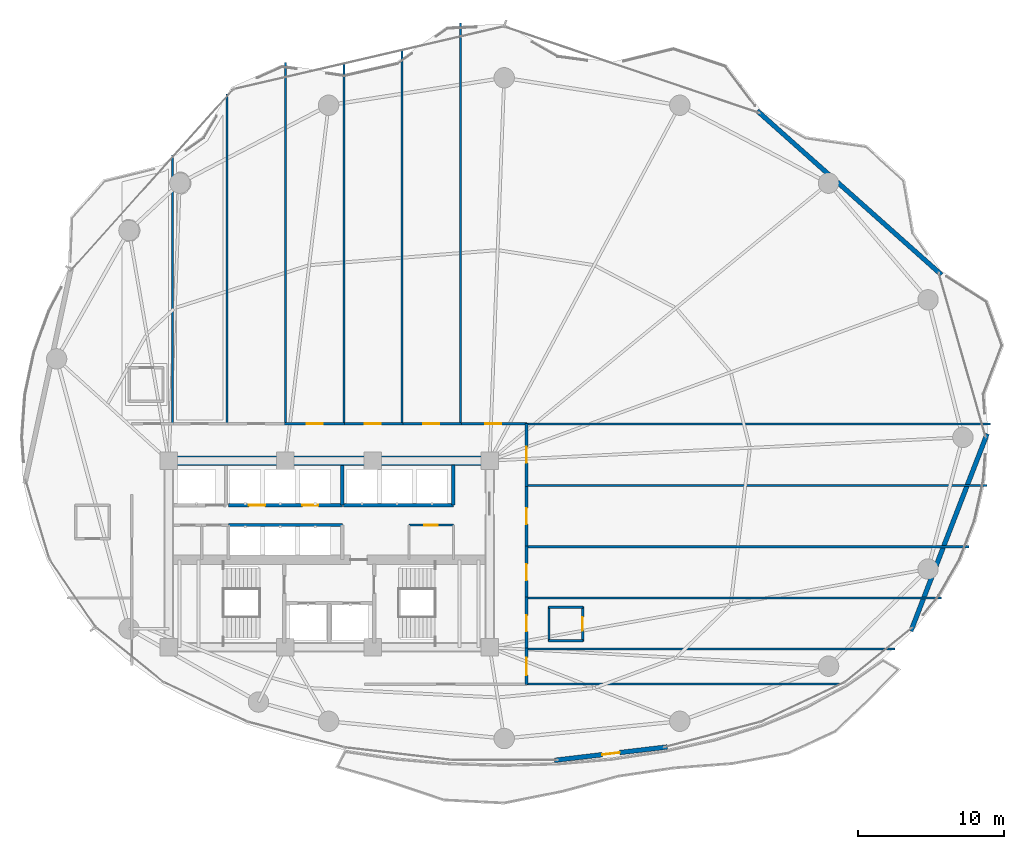
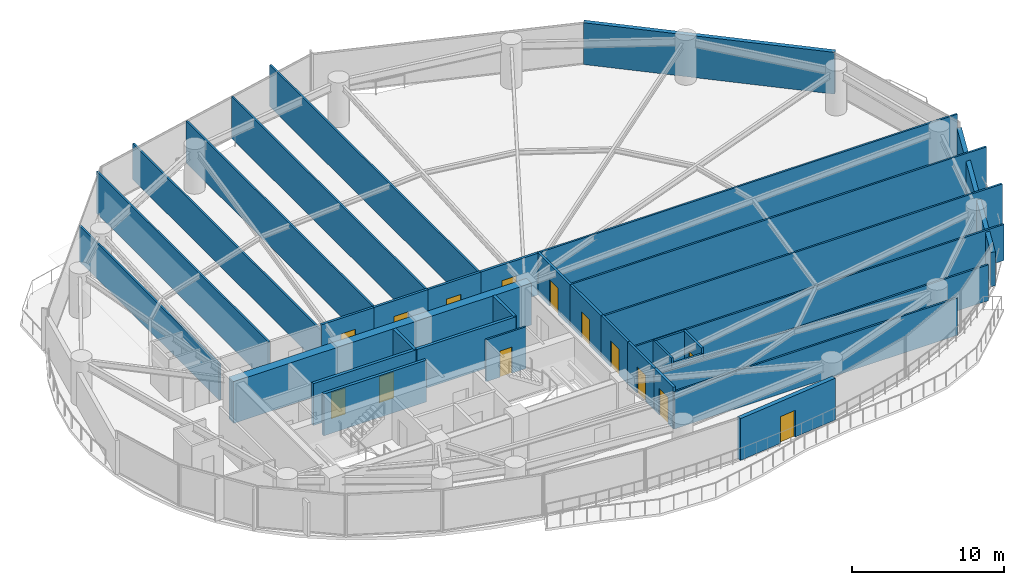
# One storey, part 27 of 31: 35 walls, 14 doors, 14 openings.
"""IFC4 building model written with IfcOpenShell, lengths in metres."""

from ifc_helpers import new_model, si_unit, direction, frame, frame_2d, origin, place, context, subcontext, project, spatial, rectangle, extrude, material, layer, layer_set, type_object, element, fill, save


model = new_model("IFC4")

# Units and contexts
model_context = context("Model", 3, precision=1e-05, world=origin(), true_north=direction((0.0, 1.0)))
body_context = subcontext(model_context, "Body", "Model", "MODEL_VIEW")
ifc_project = project(units=[si_unit("LENGTHUNIT", "METRE"), si_unit("AREAUNIT", "SQUARE_METRE"), si_unit("VOLUMEUNIT", "CUBIC_METRE"), si_unit("PLANEANGLEUNIT", "RADIAN"), si_unit("MASSUNIT", "GRAM", prefix="KILO")], contexts=[model_context])

# Site, building, storey
site_placement = place(None, origin())
site = spatial("IfcSite", under=ifc_project, at=site_placement, CompositionType="ELEMENT")
building_placement = place(site_placement, origin())
building = spatial("IfcBuilding", under=site, at=building_placement, Name="Kazevale Care Tower and Concert Hall", CompositionType="ELEMENT")
storey_placement = place(building_placement, frame((0.0, 0.0, 81.60009765625)))
storey = spatial("IfcBuildingStorey", under=building, at=storey_placement, Name="L21", CompositionType="ELEMENT", Elevation=81.60009765625)

# Wall, opening, door
ifc_material_1 = material(Name="Acoustic Gypsum on Steel Stud", Category="steel")
ifc_layer_1 = layer(ifc_material_1, 0.139892578125)
ifc_layer_set_1 = layer_set([ifc_layer_1], Name="Acoustic Gypsum on Steel Stud")
wall_type_1 = type_object("IfcWallType", Name="Acoustic Care & Suite Partition 140", PredefinedType="PARTITIONING", material=ifc_layer_set_1)
wall_1_placement = place(storey_placement, frame((38.47998046875, 31.97998046875, 0.0), z_axis=(0.0, 0.0, 1.0), x_axis=(1.0, 0.0, 0.0)))
wall_1 = element("IfcWall", 1, at=wall_1_placement, inside=storey, type_object=wall_type_1, Name="wall:L21:kb_en", PredefinedType="PARTITIONING", context=body_context, shape_type="SweptSolid", body=[
    extrude(rectangle(XDim=3.0400390625, YDim=0.139892578125, at=frame_2d((1.52001953125, 0.0))), origin(), (0.0, 0.0, 1.0), 3.35986328125),
])
opening_1_placement = place(wall_1_placement, frame((1.044921875, 0.0, 0.0)))
opening_1 = element("IfcOpeningElement", 2, at=opening_1_placement, cuts=wall_1, Name="Opening ID-900", PredefinedType="OPENING", context=body_context, shape_type="SweptSolid", body=[
    extrude(rectangle(XDim=0.919921875, YDim=2.10009765625, at=frame_2d((0.4599609375, 1.050048828125))), frame((0.0, 0.079833984375, 0.0), z_axis=(0.0, -1.0, 0.0), x_axis=(1.0, 0.0, 0.0)), (0.0, 0.0, 1.0), 0.159912109375),
])
ifc_material_2 = material(Name="Oak Timber Fire Leaf", Category="wood")
door_type_1 = type_object("IfcDoorType", Name="Bathroom & Service Door 920x2100", OperationType="NOTDEFINED", PredefinedType="DOOR", material=ifc_material_2)
door_1_placement = place(opening_1_placement, origin())
door_1 = element("IfcDoor", 3, at=door_1_placement, inside=storey, type_object=door_type_1, Name="door:L21:d_kbe", OperationType="SINGLE_SWING_LEFT", OverallHeight=2.10009765625, OverallWidth=0.919921875, PredefinedType="DOOR", context=body_context, shape_type="SweptSolid", body=[
    extrude(rectangle(XDim=0.919921875, YDim=2.10009765625, at=frame_2d((0.4599609375, 1.050048828125))), frame((0.0, 0.02490234375, 0.0), z_axis=(0.0, -1.0, 0.0), x_axis=(1.0, 0.0, 0.0)), (0.0, 0.0, 1.0), 0.050048828125),
])
fill(opening_1, door_1)

# Walls
wall_2_placement = place(storey_placement, frame((22.25, 57.343017578125, 0.0), z_axis=(0.0, 0.0, 1.0), x_axis=(0.0, -1.0, 0.0)))
element("IfcWall", 4, at=wall_2_placement, inside=storey, type_object=wall_type_1, Name="wall:L21:auto_016", PredefinedType="PARTITIONING", context=body_context, shape_type="SweptSolid", body=[
    extrude(rectangle(XDim=18.447998046875, YDim=0.139892578125, at=frame_2d((9.22412109375, 0.0))), origin(), (0.0, 0.0, 1.0), 2.889892578125),
])
wall_3_placement = place(storey_placement, frame((26.0, 61.529052734375, 0.0), z_axis=(0.0, 0.0, 1.0), x_axis=(0.0, -1.0, 0.0)))
element("IfcWall", 5, at=wall_3_placement, inside=storey, type_object=wall_type_1, Name="wall:L21:auto_017", PredefinedType="PARTITIONING", context=body_context, shape_type="SweptSolid", body=[
    extrude(rectangle(XDim=22.634033203125, YDim=0.139892578125, at=frame_2d((11.31689453125, 0.0))), origin(), (0.0, 0.0, 1.0), 3.35986328125),
])
wall_4_placement = place(storey_placement, frame((30.0, 63.7041015625, 0.0), z_axis=(0.0, 0.0, 1.0), x_axis=(0.0, -1.0, 0.0)))
element("IfcWall", 6, at=wall_4_placement, inside=storey, type_object=wall_type_1, Name="wall:L21:auto_018", PredefinedType="PARTITIONING", context=body_context, shape_type="SweptSolid", body=[
    extrude(rectangle(XDim=24.80908203125, YDim=0.139892578125, at=frame_2d((12.404541015625, 0.0))), origin(), (0.0, 0.0, 1.0), 2.889892578125),
])
wall_5_placement = place(storey_placement, frame((34.0, 63.61279296875, 0.0), z_axis=(0.0, 0.0, 1.0), x_axis=(0.0, -1.0, 0.0)))
element("IfcWall", 7, at=wall_5_placement, inside=storey, type_object=wall_type_1, Name="wall:L21:auto_019", PredefinedType="PARTITIONING", context=body_context, shape_type="SweptSolid", body=[
    extrude(rectangle(XDim=24.7177734375, YDim=0.139892578125, at=frame_2d((12.35888671875, 0.0))), origin(), (0.0, 0.0, 1.0), 3.35986328125),
])
wall_6_placement = place(storey_placement, frame((38.0, 64.5419921875, 0.0), z_axis=(0.0, 0.0, 1.0), x_axis=(0.0, -1.0, 0.0)))
element("IfcWall", 8, at=wall_6_placement, inside=storey, type_object=wall_type_1, Name="wall:L21:auto_020", PredefinedType="PARTITIONING", context=body_context, shape_type="SweptSolid", body=[
    extrude(rectangle(XDim=25.64697265625, YDim=0.139892578125, at=frame_2d((12.823486328125, 0.0))), origin(), (0.0, 0.0, 1.0), 3.35986328125),
])
wall_7_placement = place(storey_placement, frame((42.0, 66.4140625, 0.0), z_axis=(0.0, 0.0, 1.0), x_axis=(0.0, -1.0, 0.0)))
element("IfcWall", 9, at=wall_7_placement, inside=storey, type_object=wall_type_1, Name="wall:L21:auto_021", PredefinedType="PARTITIONING", context=body_context, shape_type="SweptSolid", body=[
    extrude(rectangle(XDim=27.51904296875, YDim=0.139892578125, at=frame_2d((13.759521484375, 0.0))), origin(), (0.0, 0.0, 1.0), 3.35986328125),
])
wall_8_placement = place(storey_placement, frame((78.333984375, 38.925048828125, 0.0), z_axis=(0.0, 0.0, 1.0), x_axis=(-1.0, 0.0, 0.0)))
element("IfcWall", 10, at=wall_8_placement, inside=storey, type_object=wall_type_1, Name="wall:L21:auto_022", PredefinedType="PARTITIONING", context=body_context, shape_type="SweptSolid", body=[
    extrude(rectangle(XDim=31.8740234375, YDim=0.139892578125, at=frame_2d((15.93701171875, 0.0))), origin(), (0.0, 0.0, 1.0), 3.35986328125),
])
wall_9_placement = place(storey_placement, frame((46.4951171875, 23.5, 0.0), z_axis=(0.0, 0.0, 1.0), x_axis=(1.0, 0.0, 0.0)))
element("IfcWall", 11, at=wall_9_placement, inside=storey, type_object=wall_type_1, Name="wall:L21:auto_023", PredefinedType="PARTITIONING", context=body_context, shape_type="SweptSolid", body=[
    extrude(rectangle(XDim=25.2998046875, YDim=0.139892578125, at=frame_2d((12.64990234375, 0.0))), origin(), (0.0, 0.0, 1.0), 2.889892578125),
])
wall_10_placement = place(storey_placement, frame((68.049072265625, 21.074951171875, 0.0), z_axis=(0.0, 0.0, 1.0), x_axis=(-1.0, 0.0, 0.0)))
element("IfcWall", 12, at=wall_10_placement, inside=storey, type_object=wall_type_1, Name="wall:L21:auto_024", PredefinedType="PARTITIONING", context=body_context, shape_type="SweptSolid", body=[
    extrude(rectangle(XDim=21.553955078125, YDim=0.139892578125, at=frame_2d((10.77685546875, 0.0))), origin(), (0.0, 0.0, 1.0), 2.995849609375),
])
wall_11_placement = place(storey_placement, frame((46.4951171875, 27.0, 0.0), z_axis=(0.0, 0.0, 1.0), x_axis=(1.0, 0.0, 0.0)))
element("IfcWall", 13, at=wall_11_placement, inside=storey, type_object=wall_type_1, Name="wall:L21:auto_025", PredefinedType="PARTITIONING", context=body_context, shape_type="SweptSolid", body=[
    extrude(rectangle(XDim=28.498779296875, YDim=0.139892578125, at=frame_2d((14.24951171875, 0.0))), origin(), (0.0, 0.0, 1.0), 2.889892578125),
])
wall_12_placement = place(storey_placement, frame((46.4951171875, 30.5, 0.0), z_axis=(0.0, 0.0, 1.0), x_axis=(1.0, 0.0, 0.0)))
element("IfcWall", 14, at=wall_12_placement, inside=storey, type_object=wall_type_1, Name="wall:L21:auto_026", PredefinedType="PARTITIONING", context=body_context, shape_type="SweptSolid", body=[
    extrude(rectangle(XDim=30.390869140625, YDim=0.139892578125, at=frame_2d((15.1953125, 0.0))), origin(), (0.0, 0.0, 1.0), 3.35986328125),
])
wall_13_placement = place(storey_placement, frame((46.4951171875, 34.7099609375, 0.0), z_axis=(0.0, 0.0, 1.0), x_axis=(1.0, 0.0, 0.0)))
element("IfcWall", 15, at=wall_13_placement, inside=storey, type_object=wall_type_1, Name="wall:L21:auto_027", PredefinedType="PARTITIONING", context=body_context, shape_type="SweptSolid", body=[
    extrude(rectangle(XDim=31.61376953125, YDim=0.139892578125, at=frame_2d((15.806884765625, 0.0))), origin(), (0.0, 0.0, 1.0), 3.35986328125),
])
ifc_material_3 = material(Name="Concrete C70", Category="concrete")
ifc_layer_2 = layer(ifc_material_3, 0.64990234375)
ifc_layer_set_2 = layer_set([ifc_layer_2], Name="Concrete C70")
wall_type_2 = type_object("IfcWallType", Name="Core Shear Wall 650 C70", PredefinedType="SHEAR", material=ifc_layer_set_2)
wall_14_placement = place(storey_placement, frame((21.675048828125, 36.39990234375, 0.0), z_axis=(0.0, 0.0, 1.0), x_axis=(1.0, 0.0, 0.0)))
element("IfcWall", 16, at=wall_14_placement, inside=storey, type_object=wall_type_2, Name="wall:L21:core:N", PredefinedType="SHEAR", context=body_context, shape_type="SweptSolid", body=[
    extrude(rectangle(XDim=22.64990234375, YDim=0.64990234375, at=frame_2d((11.324951171875, 0.0))), origin(), (0.0, 0.0, 1.0), 3.35986328125),
])
ifc_material_4 = material(Name="Concrete C40", Category="concrete")
ifc_layer_3 = layer(ifc_material_4, 0.219970703125)
ifc_layer_set_3 = layer_set([ifc_layer_3], Name="Concrete C40")
wall_type_3 = type_object("IfcWallType", Name="Elevator Hoistway Shaft Wall 220", PredefinedType="SOLIDWALL", material=ifc_layer_set_3)
wall_15_placement = place(storey_placement, frame((26.10009765625, 31.97998046875, 0.0), z_axis=(0.0, 0.0, 1.0), x_axis=(1.0, 0.0, 0.0)))
element("IfcWall", 17, at=wall_15_placement, inside=storey, type_object=wall_type_3, Name="wall:L21:c_ph_n", PredefinedType="SOLIDWALL", context=body_context, shape_type="SweptSolid", body=[
    extrude(rectangle(XDim=7.7998046875, YDim=0.219970703125, at=frame_2d((3.89990234375, 0.0))), origin(), (0.0, 0.0, 1.0), 3.35986328125),
])

# Wall, openings, doors
wall_16_placement = place(storey_placement, frame((26.10009765625, 33.35009765625, 0.0), z_axis=(0.0, 0.0, 1.0), x_axis=(1.0, 0.0, 0.0)))
wall_16 = element("IfcWall", 18, at=wall_16_placement, inside=storey, type_object=wall_type_3, Name="wall:L21:c_pl_s", PredefinedType="SOLIDWALL", context=body_context, shape_type="SweptSolid", body=[
    extrude(rectangle(XDim=7.7998046875, YDim=0.219970703125, at=frame_2d((3.89990234375, 0.0))), origin(), (0.0, 0.0, 1.0), 3.35986328125),
])
opening_2_placement = place(wall_16_placement, frame((1.39990234375, 0.0, 0.0)))
opening_2 = element("IfcOpeningElement", 19, at=opening_2_placement, cuts=wall_16, Name="Opening LD-PAX", PredefinedType="OPENING", context=body_context, shape_type="SweptSolid", body=[
    extrude(rectangle(XDim=1.10009765625, YDim=2.10009765625, at=frame_2d((0.550048828125, 1.050048828125))), frame((0.0, 0.119873046875, 0.0), z_axis=(0.0, -1.0, 0.0), x_axis=(1.0, 0.0, 0.0)), (0.0, 0.0, 1.0), 0.239990234375),
])
opening_3_placement = place(wall_16_placement, frame((5.06591796875, 0.0, 0.0)))
opening_3 = element("IfcOpeningElement", 20, at=opening_3_placement, cuts=wall_16, Name="Opening LD-PAX", PredefinedType="OPENING", context=body_context, shape_type="SweptSolid", body=[
    extrude(rectangle(XDim=1.10009765625, YDim=2.10009765625, at=frame_2d((0.550048828125, 1.050048828125))), frame((0.0, 0.119873046875, 0.0), z_axis=(0.0, -1.0, 0.0), x_axis=(1.0, 0.0, 0.0)), (0.0, 0.0, 1.0), 0.239990234375),
])
ifc_material_5 = material(Name="Stainless Steel 316", Category="steel")
door_type_2 = type_object("IfcDoorType", Name="Passenger Lift Sliding Landing Door 1100x2100", OperationType="NOTDEFINED", PredefinedType="DOOR", material=ifc_material_5)
door_2_placement = place(opening_2_placement, origin())
door_2 = element("IfcDoor", 21, at=door_2_placement, inside=storey, type_object=door_type_2, Name="door:L21:ld_pl1", OperationType="SLIDING_TO_LEFT", OverallHeight=2.10009765625, OverallWidth=1.10009765625, PredefinedType="DOOR", context=body_context, shape_type="SweptSolid", body=[
    extrude(rectangle(XDim=1.10009765625, YDim=2.10009765625, at=frame_2d((0.550048828125, 1.050048828125))), frame((0.0, 0.02490234375, 0.0), z_axis=(0.0, -1.0, 0.0), x_axis=(1.0, 0.0, 0.0)), (0.0, 0.0, 1.0), 0.050048828125),
])
fill(opening_2, door_2)
door_3_placement = place(opening_3_placement, origin())
door_3 = element("IfcDoor", 22, at=door_3_placement, inside=storey, type_object=door_type_2, Name="door:L21:ld_pl2", OperationType="SLIDING_TO_RIGHT", OverallHeight=2.10009765625, OverallWidth=1.10009765625, PredefinedType="DOOR", context=body_context, shape_type="SweptSolid", body=[
    extrude(rectangle(XDim=1.10009765625, YDim=2.10009765625, at=frame_2d((0.550048828125, 1.050048828125))), frame((0.0, 0.02490234375, 0.0), z_axis=(0.0, -1.0, 0.0), x_axis=(1.0, 0.0, 0.0)), (0.0, 0.0, 1.0), 0.050048828125),
])
fill(opening_3, door_3)

# Walls
wall_17_placement = place(storey_placement, frame((33.89990234375, 33.35009765625, 0.0), z_axis=(0.0, 0.0, 1.0), x_axis=(0.0, 1.0, 0.0)))
element("IfcWall", 23, at=wall_17_placement, inside=storey, type_object=wall_type_3, Name="wall:L21:c_pl_e", PredefinedType="SOLIDWALL", context=body_context, shape_type="SweptSolid", body=[
    extrude(rectangle(XDim=2.72998046875, YDim=0.219970703125, at=frame_2d((1.364990234375, 0.0))), origin(), (0.0, 0.0, 1.0), 3.35986328125),
])
wall_18_placement = place(storey_placement, frame((33.97998046875, 33.35009765625, 0.0), z_axis=(0.0, 0.0, 1.0), x_axis=(1.0, 0.0, 0.0)))
element("IfcWall", 24, at=wall_18_placement, inside=storey, type_object=wall_type_3, Name="wall:L21:c_pm_s", PredefinedType="SOLIDWALL", context=body_context, shape_type="SweptSolid", body=[
    extrude(rectangle(XDim=7.5400390625, YDim=0.219970703125, at=frame_2d((3.77001953125, 0.0))), origin(), (0.0, 0.0, 1.0), 3.35986328125),
])
wall_19_placement = place(storey_placement, frame((41.5, 33.35009765625, 0.0), z_axis=(0.0, 0.0, 1.0), x_axis=(0.0, 1.0, 0.0)))
element("IfcWall", 25, at=wall_19_placement, inside=storey, type_object=wall_type_3, Name="wall:L21:c_pm_e", PredefinedType="SOLIDWALL", context=body_context, shape_type="SweptSolid", body=[
    extrude(rectangle(XDim=2.75, YDim=0.219970703125, at=frame_2d((1.375, 0.0))), origin(), (0.0, 0.0, 1.0), 3.35986328125),
])

# Wall, opening, door
ifc_material_6 = material(Name="Concrete C40 and Acoustic Gypsum", Category="concrete")
ifc_layer_4 = layer(ifc_material_6, 0.179931640625)
ifc_layer_set_4 = layer_set([ifc_layer_4], Name="Concrete C40 and Acoustic Gypsum")
wall_type_4 = type_object("IfcWallType", Name="Fire-Rated Corridor & Party Wall 180", PredefinedType="PARTITIONING", material=ifc_layer_set_4)
wall_20_placement = place(storey_placement, frame((29.93505859375, 38.925048828125, 0.0), z_axis=(0.0, 0.0, 1.0), x_axis=(1.0, 0.0, 0.0)))
wall_20 = element("IfcWall", 26, at=wall_20_placement, inside=storey, type_object=wall_type_4, Name="wall:L21:auto_004", PredefinedType="PARTITIONING", context=body_context, shape_type="SweptSolid", body=[
    extrude(rectangle(XDim=4.1298828125, YDim=0.179931640625, at=frame_2d((2.06494140625, 0.0))), origin(), (0.0, 0.0, 1.0), 3.35986328125),
])
opening_4_placement = place(wall_20_placement, frame((1.514892578125, 0.0, 0.0)))
opening_4 = element("IfcOpeningElement", 27, at=opening_4_placement, cuts=wall_20, Name="Opening ID-1100", PredefinedType="OPENING", context=body_context, shape_type="SweptSolid", body=[
    extrude(rectangle(XDim=1.10009765625, YDim=2.10009765625, at=frame_2d((0.550048828125, 1.050048828125))), frame((0.0, 0.099853515625, 0.0), z_axis=(0.0, -1.0, 0.0), x_axis=(1.0, 0.0, 0.0)), (0.0, 0.0, 1.0), 0.199951171875),
])
door_type_3 = type_object("IfcDoorType", Name="Care Bedroom Accessible Door 1100x2100", OperationType="NOTDEFINED", PredefinedType="DOOR", material=ifc_material_2)
door_4_placement = place(opening_4_placement, origin())
door_4 = element("IfcDoor", 28, at=door_4_placement, inside=storey, type_object=door_type_3, Name="door:L21:ad_004", OperationType="SINGLE_SWING_LEFT", OverallHeight=2.10009765625, OverallWidth=1.10009765625, PredefinedType="DOOR", context=body_context, shape_type="SweptSolid", body=[
    extrude(rectangle(XDim=1.10009765625, YDim=2.10009765625, at=frame_2d((0.550048828125, 1.050048828125))), frame((0.0, 0.02490234375, 0.0), z_axis=(0.0, -1.0, 0.0), x_axis=(1.0, 0.0, 0.0)), (0.0, 0.0, 1.0), 0.050048828125),
])
fill(opening_4, door_4)

wall_21_placement = place(storey_placement, frame((33.93505859375, 38.925048828125, 0.0), z_axis=(0.0, 0.0, 1.0), x_axis=(1.0, 0.0, 0.0)))
wall_21 = element("IfcWall", 29, at=wall_21_placement, inside=storey, type_object=wall_type_4, Name="wall:L21:auto_005", PredefinedType="PARTITIONING", context=body_context, shape_type="SweptSolid", body=[
    extrude(rectangle(XDim=4.1298828125, YDim=0.179931640625, at=frame_2d((2.06494140625, 0.0))), origin(), (0.0, 0.0, 1.0), 3.35986328125),
])
opening_5_placement = place(wall_21_placement, frame((1.514892578125, 0.0, 0.0)))
opening_5 = element("IfcOpeningElement", 30, at=opening_5_placement, cuts=wall_21, Name="Opening ID-1100", PredefinedType="OPENING", context=body_context, shape_type="SweptSolid", body=[
    extrude(rectangle(XDim=1.10009765625, YDim=2.10009765625, at=frame_2d((0.550048828125, 1.050048828125))), frame((0.0, 0.099853515625, 0.0), z_axis=(0.0, -1.0, 0.0), x_axis=(1.0, 0.0, 0.0)), (0.0, 0.0, 1.0), 0.199951171875),
])
door_5_placement = place(opening_5_placement, origin())
door_5 = element("IfcDoor", 31, at=door_5_placement, inside=storey, type_object=door_type_3, Name="door:L21:ad_005", OperationType="SINGLE_SWING_LEFT", OverallHeight=2.10009765625, OverallWidth=1.10009765625, PredefinedType="DOOR", context=body_context, shape_type="SweptSolid", body=[
    extrude(rectangle(XDim=1.10009765625, YDim=2.10009765625, at=frame_2d((0.550048828125, 1.050048828125))), frame((0.0, 0.02490234375, 0.0), z_axis=(0.0, -1.0, 0.0), x_axis=(1.0, 0.0, 0.0)), (0.0, 0.0, 1.0), 0.050048828125),
])
fill(opening_5, door_5)

wall_22_placement = place(storey_placement, frame((37.93505859375, 38.925048828125, 0.0), z_axis=(0.0, 0.0, 1.0), x_axis=(1.0, 0.0, 0.0)))
wall_22 = element("IfcWall", 32, at=wall_22_placement, inside=storey, type_object=wall_type_4, Name="wall:L21:auto_006", PredefinedType="PARTITIONING", context=body_context, shape_type="SweptSolid", body=[
    extrude(rectangle(XDim=4.1298828125, YDim=0.179931640625, at=frame_2d((2.06494140625, 0.0))), origin(), (0.0, 0.0, 1.0), 3.35986328125),
])
opening_6_placement = place(wall_22_placement, frame((1.514892578125, 0.0, 0.0)))
opening_6 = element("IfcOpeningElement", 33, at=opening_6_placement, cuts=wall_22, Name="Opening ID-1100", PredefinedType="OPENING", context=body_context, shape_type="SweptSolid", body=[
    extrude(rectangle(XDim=1.10009765625, YDim=2.10009765625, at=frame_2d((0.550048828125, 1.050048828125))), frame((0.0, 0.099853515625, 0.0), z_axis=(0.0, -1.0, 0.0), x_axis=(1.0, 0.0, 0.0)), (0.0, 0.0, 1.0), 0.199951171875),
])
door_6_placement = place(opening_6_placement, origin())
door_6 = element("IfcDoor", 34, at=door_6_placement, inside=storey, type_object=door_type_3, Name="door:L21:ad_006", OperationType="SINGLE_SWING_LEFT", OverallHeight=2.10009765625, OverallWidth=1.10009765625, PredefinedType="DOOR", context=body_context, shape_type="SweptSolid", body=[
    extrude(rectangle(XDim=1.10009765625, YDim=2.10009765625, at=frame_2d((0.550048828125, 1.050048828125))), frame((0.0, 0.02490234375, 0.0), z_axis=(0.0, -1.0, 0.0), x_axis=(1.0, 0.0, 0.0)), (0.0, 0.0, 1.0), 0.050048828125),
])
fill(opening_6, door_6)

wall_23_placement = place(storey_placement, frame((41.93505859375, 38.925048828125, 0.0), z_axis=(0.0, 0.0, 1.0), x_axis=(1.0, 0.0, 0.0)))
wall_23 = element("IfcWall", 35, at=wall_23_placement, inside=storey, type_object=wall_type_4, Name="wall:L21:auto_007", PredefinedType="PARTITIONING", context=body_context, shape_type="SweptSolid", body=[
    extrude(rectangle(XDim=4.619873046875, YDim=0.179931640625, at=frame_2d((2.31005859375, 0.0))), origin(), (0.0, 0.0, 1.0), 3.35986328125),
])
opening_7_placement = place(wall_23_placement, frame((1.760009765625, 0.0, 0.0)))
opening_7 = element("IfcOpeningElement", 36, at=opening_7_placement, cuts=wall_23, Name="Opening ID-1100", PredefinedType="OPENING", context=body_context, shape_type="SweptSolid", body=[
    extrude(rectangle(XDim=1.10009765625, YDim=2.10009765625, at=frame_2d((0.550048828125, 1.050048828125))), frame((0.0, 0.099853515625, 0.0), z_axis=(0.0, -1.0, 0.0), x_axis=(1.0, 0.0, 0.0)), (0.0, 0.0, 1.0), 0.199951171875),
])
door_7_placement = place(opening_7_placement, origin())
door_7 = element("IfcDoor", 37, at=door_7_placement, inside=storey, type_object=door_type_3, Name="door:L21:ad_007", OperationType="SINGLE_SWING_LEFT", OverallHeight=2.10009765625, OverallWidth=1.10009765625, PredefinedType="DOOR", context=body_context, shape_type="SweptSolid", body=[
    extrude(rectangle(XDim=1.10009765625, YDim=2.10009765625, at=frame_2d((0.550048828125, 1.050048828125))), frame((0.0, 0.02490234375, 0.0), z_axis=(0.0, -1.0, 0.0), x_axis=(1.0, 0.0, 0.0)), (0.0, 0.0, 1.0), 0.050048828125),
])
fill(opening_7, door_7)

wall_24_placement = place(storey_placement, frame((46.52490234375, 23.56494140625, 0.0), z_axis=(0.0, 0.0, 1.0), x_axis=(0.0, -1.0, 0.0)))
wall_24 = element("IfcWall", 38, at=wall_24_placement, inside=storey, type_object=wall_type_4, Name="wall:L21:auto_008", PredefinedType="PARTITIONING", context=body_context, shape_type="SweptSolid", body=[
    extrude(rectangle(XDim=2.52001953125, YDim=0.179931640625, at=frame_2d((1.260009765625, 0.0))), origin(), (0.0, 0.0, 1.0), 3.35986328125),
])
opening_8_placement = place(wall_24_placement, frame((0.659912109375, 0.0, 0.0)))
opening_8 = element("IfcOpeningElement", 39, at=opening_8_placement, cuts=wall_24, Name="Opening ID-1200", PredefinedType="OPENING", context=body_context, shape_type="SweptSolid", body=[
    extrude(rectangle(XDim=1.199951171875, YDim=2.14990234375, at=frame_2d((0.60009765625, 1.074951171875))), frame((0.0, 0.099853515625, 0.0), z_axis=(0.0, -1.0, 0.0), x_axis=(1.0, 0.0, 0.0)), (0.0, 0.0, 1.0), 0.199951171875),
])
door_type_4 = type_object("IfcDoorType", Name="Clinical & Therapy Door 1200x2150", OperationType="NOTDEFINED", PredefinedType="DOOR", material=ifc_material_2)
door_8_placement = place(opening_8_placement, origin())
door_8 = element("IfcDoor", 40, at=door_8_placement, inside=storey, type_object=door_type_4, Name="door:L21:ad_008", OperationType="SINGLE_SWING_LEFT", OverallHeight=2.14990234375, OverallWidth=1.199951171875, PredefinedType="DOOR", context=body_context, shape_type="SweptSolid", body=[
    extrude(rectangle(XDim=1.199951171875, YDim=2.14990234375, at=frame_2d((0.60009765625, 1.074951171875))), frame((0.0, 0.02490234375, 0.0), z_axis=(0.0, -1.0, 0.0), x_axis=(1.0, 0.0, 0.0)), (0.0, 0.0, 1.0), 0.050048828125),
])
fill(opening_8, door_8)

wall_25_placement = place(storey_placement, frame((46.52490234375, 27.06494140625, 0.0), z_axis=(0.0, 0.0, 1.0), x_axis=(0.0, -1.0, 0.0)))
wall_25 = element("IfcWall", 41, at=wall_25_placement, inside=storey, type_object=wall_type_4, Name="wall:L21:auto_009", PredefinedType="PARTITIONING", context=body_context, shape_type="SweptSolid", body=[
    extrude(rectangle(XDim=3.6298828125, YDim=0.179931640625, at=frame_2d((1.81494140625, 0.0))), origin(), (0.0, 0.0, 1.0), 3.35986328125),
])
opening_9_placement = place(wall_25_placement, frame((1.264892578125, 0.0, 0.0)))
opening_9 = element("IfcOpeningElement", 42, at=opening_9_placement, cuts=wall_25, Name="Opening ID-1100", PredefinedType="OPENING", context=body_context, shape_type="SweptSolid", body=[
    extrude(rectangle(XDim=1.10009765625, YDim=2.10009765625, at=frame_2d((0.550048828125, 1.050048828125))), frame((0.0, 0.099853515625, 0.0), z_axis=(0.0, -1.0, 0.0), x_axis=(1.0, 0.0, 0.0)), (0.0, 0.0, 1.0), 0.199951171875),
])
door_9_placement = place(opening_9_placement, origin())
door_9 = element("IfcDoor", 43, at=door_9_placement, inside=storey, type_object=door_type_3, Name="door:L21:ad_009", OperationType="SINGLE_SWING_LEFT", OverallHeight=2.10009765625, OverallWidth=1.10009765625, PredefinedType="DOOR", context=body_context, shape_type="SweptSolid", body=[
    extrude(rectangle(XDim=1.10009765625, YDim=2.10009765625, at=frame_2d((0.550048828125, 1.050048828125))), frame((0.0, 0.02490234375, 0.0), z_axis=(0.0, -1.0, 0.0), x_axis=(1.0, 0.0, 0.0)), (0.0, 0.0, 1.0), 0.050048828125),
])
fill(opening_9, door_9)

wall_26_placement = place(storey_placement, frame((46.52490234375, 30.56494140625, 0.0), z_axis=(0.0, 0.0, 1.0), x_axis=(0.0, -1.0, 0.0)))
wall_26 = element("IfcWall", 44, at=wall_26_placement, inside=storey, type_object=wall_type_4, Name="wall:L21:auto_010", PredefinedType="PARTITIONING", context=body_context, shape_type="SweptSolid", body=[
    extrude(rectangle(XDim=3.6298828125, YDim=0.179931640625, at=frame_2d((1.81494140625, 0.0))), origin(), (0.0, 0.0, 1.0), 3.35986328125),
])
opening_10_placement = place(wall_26_placement, frame((1.264892578125, 0.0, 0.0)))
opening_10 = element("IfcOpeningElement", 45, at=opening_10_placement, cuts=wall_26, Name="Opening ID-1100", PredefinedType="OPENING", context=body_context, shape_type="SweptSolid", body=[
    extrude(rectangle(XDim=1.10009765625, YDim=2.10009765625, at=frame_2d((0.550048828125, 1.050048828125))), frame((0.0, 0.099853515625, 0.0), z_axis=(0.0, -1.0, 0.0), x_axis=(1.0, 0.0, 0.0)), (0.0, 0.0, 1.0), 0.199951171875),
])
door_10_placement = place(opening_10_placement, origin())
door_10 = element("IfcDoor", 46, at=door_10_placement, inside=storey, type_object=door_type_3, Name="door:L21:ad_010", OperationType="SINGLE_SWING_LEFT", OverallHeight=2.10009765625, OverallWidth=1.10009765625, PredefinedType="DOOR", context=body_context, shape_type="SweptSolid", body=[
    extrude(rectangle(XDim=1.10009765625, YDim=2.10009765625, at=frame_2d((0.550048828125, 1.050048828125))), frame((0.0, 0.02490234375, 0.0), z_axis=(0.0, -1.0, 0.0), x_axis=(1.0, 0.0, 0.0)), (0.0, 0.0, 1.0), 0.050048828125),
])
fill(opening_10, door_10)

wall_27_placement = place(storey_placement, frame((46.52490234375, 34.77490234375, 0.0), z_axis=(0.0, 0.0, 1.0), x_axis=(0.0, -1.0, 0.0)))
wall_27 = element("IfcWall", 47, at=wall_27_placement, inside=storey, type_object=wall_type_4, Name="wall:L21:auto_011", PredefinedType="PARTITIONING", context=body_context, shape_type="SweptSolid", body=[
    extrude(rectangle(XDim=4.33984375, YDim=0.179931640625, at=frame_2d((2.169921875, 0.0))), origin(), (0.0, 0.0, 1.0), 3.35986328125),
])
opening_11_placement = place(wall_27_placement, frame((1.6201171875, 0.0, 0.0)))
opening_11 = element("IfcOpeningElement", 48, at=opening_11_placement, cuts=wall_27, Name="Opening ID-1100", PredefinedType="OPENING", context=body_context, shape_type="SweptSolid", body=[
    extrude(rectangle(XDim=1.10009765625, YDim=2.10009765625, at=frame_2d((0.550048828125, 1.050048828125))), frame((0.0, 0.099853515625, 0.0), z_axis=(0.0, -1.0, 0.0), x_axis=(1.0, 0.0, 0.0)), (0.0, 0.0, 1.0), 0.199951171875),
])
door_11_placement = place(opening_11_placement, origin())
door_11 = element("IfcDoor", 49, at=door_11_placement, inside=storey, type_object=door_type_3, Name="door:L21:ad_011", OperationType="SINGLE_SWING_LEFT", OverallHeight=2.10009765625, OverallWidth=1.10009765625, PredefinedType="DOOR", context=body_context, shape_type="SweptSolid", body=[
    extrude(rectangle(XDim=1.10009765625, YDim=2.10009765625, at=frame_2d((0.550048828125, 1.050048828125))), frame((0.0, 0.02490234375, 0.0), z_axis=(0.0, -1.0, 0.0), x_axis=(1.0, 0.0, 0.0)), (0.0, 0.0, 1.0), 0.050048828125),
])
fill(opening_11, door_11)

wall_28_placement = place(storey_placement, frame((46.52490234375, 38.955078125, 0.0), z_axis=(0.0, 0.0, 1.0), x_axis=(0.0, -1.0, 0.0)))
wall_28 = element("IfcWall", 50, at=wall_28_placement, inside=storey, type_object=wall_type_4, Name="wall:L21:auto_012", PredefinedType="PARTITIONING", context=body_context, shape_type="SweptSolid", body=[
    extrude(rectangle(XDim=4.31005859375, YDim=0.179931640625, at=frame_2d((2.155029296875, 0.0))), origin(), (0.0, 0.0, 1.0), 3.35986328125),
])
opening_12_placement = place(wall_28_placement, frame((1.60498046875, 0.0, 0.0)))
opening_12 = element("IfcOpeningElement", 51, at=opening_12_placement, cuts=wall_28, Name="Opening ID-1100", PredefinedType="OPENING", context=body_context, shape_type="SweptSolid", body=[
    extrude(rectangle(XDim=1.10009765625, YDim=2.10009765625, at=frame_2d((0.550048828125, 1.050048828125))), frame((0.0, 0.099853515625, 0.0), z_axis=(0.0, -1.0, 0.0), x_axis=(1.0, 0.0, 0.0)), (0.0, 0.0, 1.0), 0.199951171875),
])
door_12_placement = place(opening_12_placement, origin())
door_12 = element("IfcDoor", 52, at=door_12_placement, inside=storey, type_object=door_type_3, Name="door:L21:ad_012", OperationType="SINGLE_SWING_LEFT", OverallHeight=2.10009765625, OverallWidth=1.10009765625, PredefinedType="DOOR", context=body_context, shape_type="SweptSolid", body=[
    extrude(rectangle(XDim=1.10009765625, YDim=2.10009765625, at=frame_2d((0.550048828125, 1.050048828125))), frame((0.0, 0.02490234375, 0.0), z_axis=(0.0, -1.0, 0.0), x_axis=(1.0, 0.0, 0.0)), (0.0, 0.0, 1.0), 0.050048828125),
])
fill(opening_12, door_12)

# Walls
ifc_layer_5 = layer(ifc_material_1, 0.159912109375)
ifc_layer_set_5 = layer_set([ifc_layer_5], Name="Acoustic Gypsum on Steel Stud")
wall_type_5 = type_object("IfcWallType", Name="Moisture-Resistant Bathroom Plumbing Wall 160", PredefinedType="PLUMBINGWALL", material=ifc_layer_set_5)
wall_29_placement = place(storey_placement, frame((48.034912109375, 24.050048828125, 0.0), z_axis=(0.0, 0.0, 1.0), x_axis=(1.0, 0.0, 0.0)))
element("IfcWall", 53, at=wall_29_placement, inside=storey, type_object=wall_type_5, Name="wall:L21:eb2a_ens_ws", PredefinedType="PLUMBINGWALL", context=body_context, shape_type="SweptSolid", body=[
    extrude(rectangle(XDim=2.380126953125, YDim=0.159912109375, at=frame_2d((1.18994140625, 0.0))), origin(), (0.0, 0.0, 1.0), 2.889892578125),
])
wall_30_placement = place(storey_placement, frame((48.034912109375, 26.35009765625, 0.0), z_axis=(0.0, 0.0, 1.0), x_axis=(1.0, 0.0, 0.0)))
element("IfcWall", 54, at=wall_30_placement, inside=storey, type_object=wall_type_5, Name="wall:L21:eb2a_ens_wn", PredefinedType="PLUMBINGWALL", context=body_context, shape_type="SweptSolid", body=[
    extrude(rectangle(XDim=2.380126953125, YDim=0.159912109375, at=frame_2d((1.18994140625, 0.0))), origin(), (0.0, 0.0, 1.0), 3.35986328125),
])
wall_31_placement = place(storey_placement, frame((48.074951171875, 24.010009765625, 0.0), z_axis=(0.0, 0.0, 1.0), x_axis=(0.0, 1.0, 0.0)))
element("IfcWall", 55, at=wall_31_placement, inside=storey, type_object=wall_type_5, Name="wall:L21:eb2a_ens_ww", PredefinedType="PLUMBINGWALL", context=body_context, shape_type="SweptSolid", body=[
    extrude(rectangle(XDim=2.3798828125, YDim=0.159912109375, at=frame_2d((1.18994140625, 0.0))), origin(), (0.0, 0.0, 1.0), 3.35986328125),
])

# Wall, opening, door
wall_32_placement = place(storey_placement, frame((50.375, 24.010009765625, 0.0), z_axis=(0.0, 0.0, 1.0), x_axis=(0.0, 1.0, 0.0)))
wall_32 = element("IfcWall", 56, at=wall_32_placement, inside=storey, type_object=wall_type_5, Name="wall:L21:eb2a_ens_we", PredefinedType="PLUMBINGWALL", context=body_context, shape_type="SweptSolid", body=[
    extrude(rectangle(XDim=2.3798828125, YDim=0.159912109375, at=frame_2d((1.18994140625, 0.0))), origin(), (0.0, 0.0, 1.0), 3.35986328125),
])
opening_13_placement = place(wall_32_placement, frame((0.739990234375, 0.0, 0.0)))
opening_13 = element("IfcOpeningElement", 57, at=opening_13_placement, cuts=wall_32, Name="Opening ID-900", PredefinedType="OPENING", context=body_context, shape_type="SweptSolid", body=[
    extrude(rectangle(XDim=0.919921875, YDim=2.10009765625, at=frame_2d((0.4599609375, 1.050048828125))), frame((0.0, 0.08984375, 0.0), z_axis=(0.0, -1.0, 0.0), x_axis=(1.0, 0.0, 0.0)), (0.0, 0.0, 1.0), 0.179931640625),
])
door_13_placement = place(opening_13_placement, origin())
door_13 = element("IfcDoor", 58, at=door_13_placement, inside=storey, type_object=door_type_1, Name="door:L21:eb2a_ens_d", OperationType="SINGLE_SWING_RIGHT", OverallHeight=2.10009765625, OverallWidth=0.919921875, PredefinedType="DOOR", context=body_context, shape_type="SweptSolid", body=[
    extrude(rectangle(XDim=0.919921875, YDim=2.10009765625, at=frame_2d((0.4599609375, 1.050048828125))), frame((0.0, 0.02490234375, 0.0), z_axis=(0.0, -1.0, 0.0), x_axis=(1.0, 0.0, 0.0)), (0.0, 0.0, 1.0), 0.050048828125),
])
fill(opening_13, door_13)

# Wall
ifc_material_7 = material(Name="Concrete C40 with Honed Limestone Cladding", Category="masonry")
ifc_layer_6 = layer(ifc_material_7, 0.320068359375)
ifc_layer_set_6 = layer_set([ifc_layer_6], Name="Concrete C40 with Honed Limestone Cladding")
wall_type_6 = type_object("IfcWallType", Name="Tower Honed Limestone Spandrel Wall 320", PredefinedType="STANDARD", material=ifc_layer_set_6)
wall_33_placement = place(storey_placement, frame((78.114013671875, 38.242919921875, 0.0), z_axis=(0.0, 0.0, 1.0), x_axis=(-0.360517110943, -0.932752599952, 0.0)))
element("IfcWall", 59, at=wall_33_placement, inside=storey, type_object=wall_type_6, Name="wall:cw:L21:f01", PredefinedType="STANDARD", context=body_context, shape_type="SweptSolid", body=[
    extrude(rectangle(XDim=14.504150390625, YDim=0.320068359375, at=frame_2d((7.251953125, 0.0))), origin(), (0.0, 0.0, 1.0), 2.73779296875),
])

# Wall, opening, door
wall_34_placement = place(storey_placement, frame((56.18994140625, 16.77197265625, 0.0), z_axis=(0.0, 0.0, 1.0), x_axis=(-0.993056646691, -0.117637138959, 0.0)))
wall_34 = element("IfcWall", 60, at=wall_34_placement, inside=storey, type_object=wall_type_6, Name="wall:L21:bal_host", PredefinedType="STANDARD", context=body_context, shape_type="SweptSolid", body=[
    extrude(rectangle(XDim=7.795166015625, YDim=0.320068359375, at=frame_2d((3.8974609375, 0.0))), origin(), (0.0, 0.0, 1.0), 3.35986328125),
])
opening_14_placement = place(wall_34_placement, frame((3.298095703125, 0.0, 0.0)))
opening_14 = element("IfcOpeningElement", 61, at=opening_14_placement, cuts=wall_34, Name="Opening BD-1200", PredefinedType="OPENING", context=body_context, shape_type="SweptSolid", body=[
    extrude(rectangle(XDim=1.199951171875, YDim=2.14990234375, at=frame_2d((0.60009765625, 1.074951171875))), frame((0.0, 0.169921875, 0.0), z_axis=(0.0, -1.0, 0.0), x_axis=(1.0, 0.0, 0.0)), (0.0, 0.0, 1.0), 0.340087890625),
])
ifc_material_8 = material(Name="Aluminium 6063-T6 and Low-E Glass", Category="aluminium")
door_type_5 = type_object("IfcDoorType", Name="Sheltered Balcony Glazed Door 1200x2150", OperationType="NOTDEFINED", PredefinedType="DOOR", material=ifc_material_8)
door_14_placement = place(opening_14_placement, origin())
door_14 = element("IfcDoor", 62, at=door_14_placement, inside=storey, type_object=door_type_5, Name="door:L21:BD-1", OperationType="SINGLE_SWING_LEFT", OverallHeight=2.14990234375, OverallWidth=1.199951171875, PredefinedType="DOOR", context=body_context, shape_type="SweptSolid", body=[
    extrude(rectangle(XDim=1.199951171875, YDim=2.14990234375, at=frame_2d((0.60009765625, 1.074951171875))), frame((0.0, 0.02490234375, 0.0), z_axis=(0.0, -1.0, 0.0), x_axis=(1.0, 0.0, 0.0)), (0.0, 0.0, 1.0), 0.050048828125),
])
fill(opening_14, door_14)

# Wall
wall_35_placement = place(storey_placement, frame((62.347900390625, 60.387939453125, 0.0), z_axis=(0.0, 0.0, 1.0), x_axis=(0.747075414442, -0.664739291104, 0.0)))
element("IfcWall", 63, at=wall_35_placement, inside=storey, type_object=wall_type_6, Name="wall:cw:L21:f17", PredefinedType="STANDARD", context=body_context, shape_type="SweptSolid", body=[
    extrude(rectangle(XDim=16.907470703125, YDim=0.320068359375, at=frame_2d((8.45361328125, 0.0))), origin(), (0.0, 0.0, 1.0), 3.35986328125),
])

save(model, "model.ifc")
